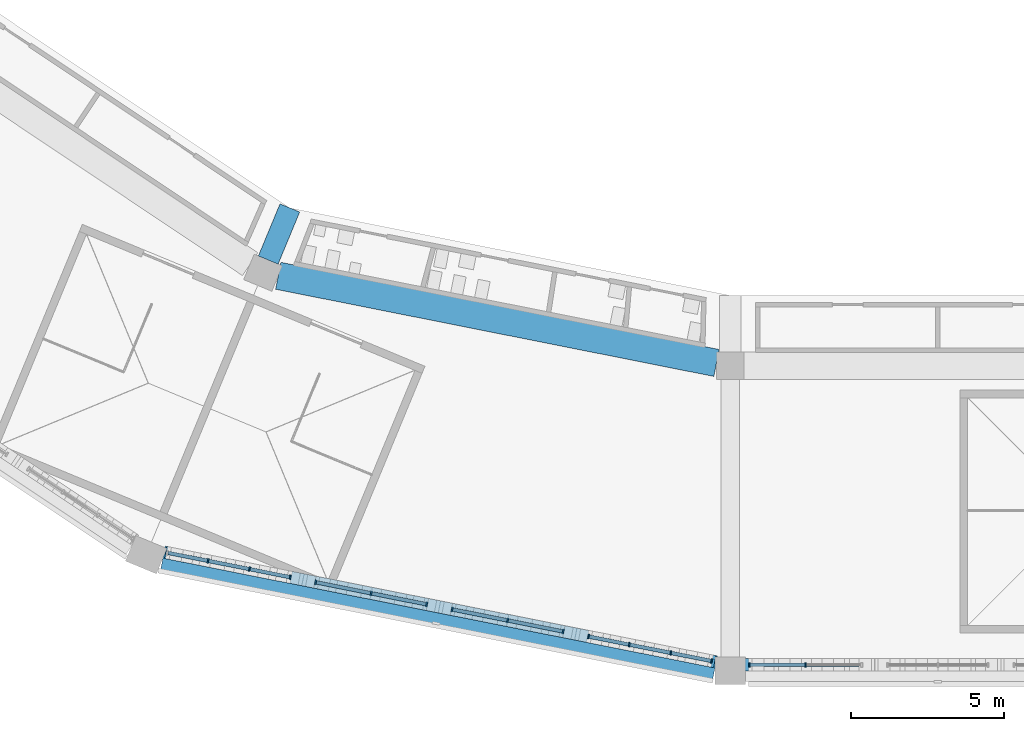
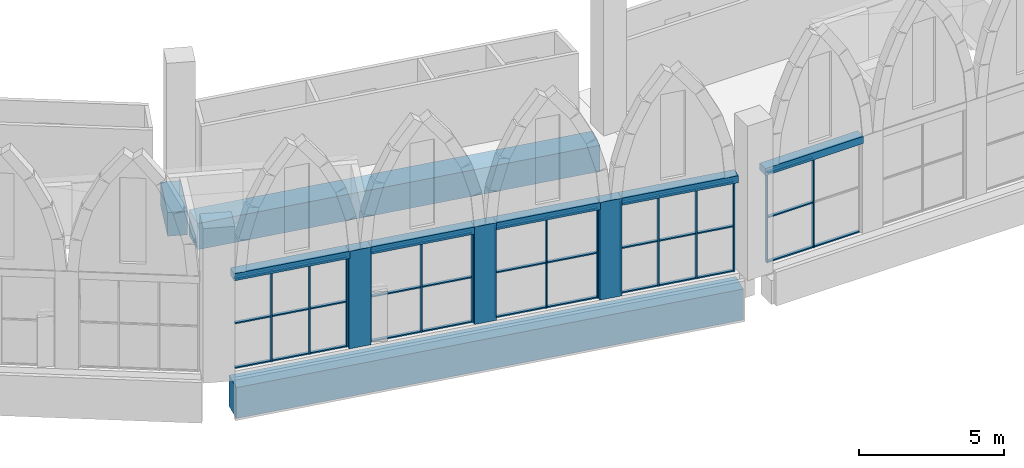
# One storey, part 5 of 130: 52 members, 8 beams, 5 elements without a shape of their own.
"""IFC4 building model written with IfcOpenShell, lengths in metres."""

from ifc_helpers import new_model, si_unit, direction, frame, origin, origin_2d, place, context, subcontext, project, spatial, rectangle, extrude, material, material_profile, profile_set, type_object, element, aggregate, save


model = new_model("IFC4")

# Units and contexts
model_context = context("Model", 3, precision=1e-05, world=origin(), true_north=direction((0.0, 1.0)))
body_context = subcontext(model_context, "Body", "Model", "MODEL_VIEW")
ifc_project = project(units=[si_unit("LENGTHUNIT", "METRE"), si_unit("AREAUNIT", "SQUARE_METRE"), si_unit("VOLUMEUNIT", "CUBIC_METRE"), si_unit("PLANEANGLEUNIT", "RADIAN"), si_unit("MASSUNIT", "GRAM", prefix="KILO")], contexts=[model_context])

# Site, building, storey
site_placement = place(None, origin())
site = spatial("IfcSite", under=ifc_project, at=site_placement, CompositionType="ELEMENT")
building_placement = place(site_placement, origin())
building = spatial("IfcBuilding", under=site, at=building_placement, Name="Ogive Plaza Stadium", CompositionType="ELEMENT")
storey_placement = place(building_placement, frame((0.0, 0.0, 22.5)))
storey = spatial("IfcBuildingStorey", under=building, at=storey_placement, Name="L05", CompositionType="ELEMENT", Elevation=22.5)

# Curtain wall, members
ifc_material_1 = material(Name="Bronze-anodised aluminium with laminated glass", Category="aluminium")
curtain_wall_type = type_object("IfcCurtainWallType", Name="Lancet curtain wall", PredefinedType="NOTDEFINED", material=ifc_material_1)
curtain_wall_1_placement = place(storey_placement, origin())
curtain_wall_1 = element("IfcCurtainWall", 1, at=curtain_wall_1_placement, inside=storey, type_object=curtain_wall_type, Name="CURTAIN WALL B16 L05", PredefinedType="NOTDEFINED")
ifc_material_2 = material(Name="Bronze-anodised aluminium", Category="aluminium")
ifc_material_profile_1 = material_profile(ifc_material_2, rectangle(XDim=0.14990234375, YDim=0.050048828125, at=origin_2d()), Name="AL 150x50")
ifc_profile_set_1 = profile_set([ifc_material_profile_1], Name="Bronze-anodised aluminium")
member_type_1 = type_object("IfcMemberType", Name="Curtain wall mullion 50x150", PredefinedType="MULLION", material=ifc_profile_set_1)
member_1_placement = place(storey_placement, frame((-31.533447265625, -102.300048828125, 0.0), z_axis=(0.0, 0.0, 1.0), x_axis=(0.0, -1.0, 0.0)))
member_1 = element("IfcMember", 2, at=member_1_placement, type_object=member_type_1, Name="CW-B16-L05.3 mullion 2", PredefinedType="MULLION", context=body_context, shape_type="SweptSolid", body=[
    extrude(rectangle(XDim=0.14990234375, YDim=0.050048828125, at=origin_2d()), origin(), (0.0, 0.0, 1.0), 3.800048828125),
])
member_2_placement = place(storey_placement, frame((-33.375, -102.300048828125, 0.0), z_axis=(0.0, 0.0, 1.0), x_axis=(0.0, -1.0, 0.0)))
member_2 = element("IfcMember", 3, at=member_2_placement, type_object=member_type_1, Name="CW-B16-L05.3 mullion 3", PredefinedType="MULLION", context=body_context, shape_type="SweptSolid", body=[
    extrude(rectangle(XDim=0.14990234375, YDim=0.050048828125, at=origin_2d()), origin(), (0.0, 0.0, 1.0), 3.800048828125),
])

curtain_wall_2_placement = place(storey_placement, origin())
curtain_wall_2 = element("IfcCurtainWall", 4, at=curtain_wall_2_placement, inside=storey, type_object=curtain_wall_type, Name="CURTAIN WALL B17 L05", PredefinedType="NOTDEFINED")
member_3_placement = place(storey_placement, frame((-34.613525390625, -102.174072265625, 0.0), z_axis=(0.0, 0.0, 1.0), x_axis=(-0.195090321965, -0.980785280413, 0.0)))
member_3 = element("IfcMember", 5, at=member_3_placement, type_object=member_type_1, Name="CW-B17-L05.1 mullion 1", PredefinedType="MULLION", context=body_context, shape_type="SweptSolid", body=[
    extrude(rectangle(XDim=0.14990234375, YDim=0.050048828125, at=origin_2d()), origin(), (0.0, 0.0, 1.0), 3.800048828125),
])
member_4_placement = place(storey_placement, frame((-35.947998046875, -101.90869140625, 0.0), z_axis=(0.0, 0.0, 1.0), x_axis=(-0.195090321965, -0.980785280413, 0.0)))
member_4 = element("IfcMember", 6, at=member_4_placement, type_object=member_type_1, Name="CW-B17-L05.1 mullion 2", PredefinedType="MULLION", context=body_context, shape_type="SweptSolid", body=[
    extrude(rectangle(XDim=0.14990234375, YDim=0.050048828125, at=origin_2d()), origin(), (0.0, 0.0, 1.0), 3.800048828125),
])
member_5_placement = place(storey_placement, frame((-37.30712890625, -101.63818359375, 0.0), z_axis=(0.0, 0.0, 1.0), x_axis=(-0.195090321965, -0.980785280413, 0.0)))
member_5 = element("IfcMember", 7, at=member_5_placement, type_object=member_type_1, Name="CW-B17-L05.1 mullion 3", PredefinedType="MULLION", context=body_context, shape_type="SweptSolid", body=[
    extrude(rectangle(XDim=0.14990234375, YDim=0.050048828125, at=origin_2d()), origin(), (0.0, 0.0, 1.0), 3.800048828125),
])
member_6_placement = place(storey_placement, frame((-38.6416015625, -101.372802734375, 0.0), z_axis=(0.0, 0.0, 1.0), x_axis=(-0.195090321965, -0.980785280413, 0.0)))
member_6 = element("IfcMember", 8, at=member_6_placement, type_object=member_type_1, Name="CW-B17-L05.1 mullion 4", PredefinedType="MULLION", context=body_context, shape_type="SweptSolid", body=[
    extrude(rectangle(XDim=0.14990234375, YDim=0.050048828125, at=origin_2d()), origin(), (0.0, 0.0, 1.0), 3.800048828125),
])

curtain_wall_3_placement = place(storey_placement, origin())
curtain_wall_3 = element("IfcCurtainWall", 9, at=curtain_wall_3_placement, inside=storey, type_object=curtain_wall_type, Name="CURTAIN WALL B17 L05", PredefinedType="NOTDEFINED")
member_7_placement = place(storey_placement, frame((-39.475341796875, -101.20703125, 0.0), z_axis=(0.0, 0.0, 1.0), x_axis=(-0.195090321896, -0.980785280427, 0.0)))
member_7 = element("IfcMember", 10, at=member_7_placement, type_object=member_type_1, Name="CW-B17-L05.2 mullion 1", PredefinedType="MULLION", context=body_context, shape_type="SweptSolid", body=[
    extrude(rectangle(XDim=0.14990234375, YDim=0.050048828125, at=origin_2d()), origin(), (0.0, 0.0, 1.0), 3.800048828125),
])
member_8_placement = place(storey_placement, frame((-41.293212890625, -100.845458984375, 0.0), z_axis=(0.0, 0.0, 1.0), x_axis=(-0.195090321896, -0.980785280427, 0.0)))
member_8 = element("IfcMember", 11, at=member_8_placement, type_object=member_type_1, Name="CW-B17-L05.2 mullion 2", PredefinedType="MULLION", context=body_context, shape_type="SweptSolid", body=[
    extrude(rectangle(XDim=0.14990234375, YDim=0.050048828125, at=origin_2d()), origin(), (0.0, 0.0, 1.0), 3.800048828125),
])
member_9_placement = place(storey_placement, frame((-43.111328125, -100.483642578125, 0.0), z_axis=(0.0, 0.0, 1.0), x_axis=(-0.195090321896, -0.980785280427, 0.0)))
member_9 = element("IfcMember", 12, at=member_9_placement, type_object=member_type_1, Name="CW-B17-L05.2 mullion 3", PredefinedType="MULLION", context=body_context, shape_type="SweptSolid", body=[
    extrude(rectangle(XDim=0.14990234375, YDim=0.050048828125, at=origin_2d()), origin(), (0.0, 0.0, 1.0), 3.800048828125),
])

curtain_wall_4_placement = place(storey_placement, origin())
curtain_wall_4 = element("IfcCurtainWall", 13, at=curtain_wall_4_placement, inside=storey, type_object=curtain_wall_type, Name="CURTAIN WALL B17 L05", PredefinedType="NOTDEFINED")
member_10_placement = place(storey_placement, frame((-43.94482421875, -100.31787109375, 0.0), z_axis=(0.0, 0.0, 1.0), x_axis=(-0.195090322153, -0.980785280376, 0.0)))
member_10 = element("IfcMember", 14, at=member_10_placement, type_object=member_type_1, Name="CW-B17-L05.3 mullion 1", PredefinedType="MULLION", context=body_context, shape_type="SweptSolid", body=[
    extrude(rectangle(XDim=0.14990234375, YDim=0.050048828125, at=origin_2d()), origin(), (0.0, 0.0, 1.0), 3.800048828125),
])
member_11_placement = place(storey_placement, frame((-45.762939453125, -99.956298828125, 0.0), z_axis=(0.0, 0.0, 1.0), x_axis=(-0.195090322153, -0.980785280376, 0.0)))
member_11 = element("IfcMember", 15, at=member_11_placement, type_object=member_type_1, Name="CW-B17-L05.3 mullion 2", PredefinedType="MULLION", context=body_context, shape_type="SweptSolid", body=[
    extrude(rectangle(XDim=0.14990234375, YDim=0.050048828125, at=origin_2d()), origin(), (0.0, 0.0, 1.0), 3.800048828125),
])
member_12_placement = place(storey_placement, frame((-47.580810546875, -99.5947265625, 0.0), z_axis=(0.0, 0.0, 1.0), x_axis=(-0.195090322153, -0.980785280376, 0.0)))
member_12 = element("IfcMember", 16, at=member_12_placement, type_object=member_type_1, Name="CW-B17-L05.3 mullion 3", PredefinedType="MULLION", context=body_context, shape_type="SweptSolid", body=[
    extrude(rectangle(XDim=0.14990234375, YDim=0.050048828125, at=origin_2d()), origin(), (0.0, 0.0, 1.0), 3.800048828125),
])

curtain_wall_5_placement = place(storey_placement, origin())
curtain_wall_5 = element("IfcCurtainWall", 17, at=curtain_wall_5_placement, inside=storey, type_object=curtain_wall_type, Name="CURTAIN WALL B17 L05", PredefinedType="NOTDEFINED")
member_13_placement = place(storey_placement, frame((-48.414306640625, -99.428955078125, 0.0), z_axis=(0.0, 0.0, 1.0), x_axis=(-0.195090321965, -0.980785280413, 0.0)))
member_13 = element("IfcMember", 18, at=member_13_placement, type_object=member_type_1, Name="CW-B17-L05.4 mullion 1", PredefinedType="MULLION", context=body_context, shape_type="SweptSolid", body=[
    extrude(rectangle(XDim=0.14990234375, YDim=0.050048828125, at=origin_2d()), origin(), (0.0, 0.0, 1.0), 3.800048828125),
])
member_14_placement = place(storey_placement, frame((-49.7490234375, -99.163330078125, 0.0), z_axis=(0.0, 0.0, 1.0), x_axis=(-0.195090321965, -0.980785280413, 0.0)))
member_14 = element("IfcMember", 19, at=member_14_placement, type_object=member_type_1, Name="CW-B17-L05.4 mullion 2", PredefinedType="MULLION", context=body_context, shape_type="SweptSolid", body=[
    extrude(rectangle(XDim=0.14990234375, YDim=0.050048828125, at=origin_2d()), origin(), (0.0, 0.0, 1.0), 3.800048828125),
])
member_15_placement = place(storey_placement, frame((-51.108154296875, -98.89306640625, 0.0), z_axis=(0.0, 0.0, 1.0), x_axis=(-0.195090321965, -0.980785280413, 0.0)))
member_15 = element("IfcMember", 20, at=member_15_placement, type_object=member_type_1, Name="CW-B17-L05.4 mullion 3", PredefinedType="MULLION", context=body_context, shape_type="SweptSolid", body=[
    extrude(rectangle(XDim=0.14990234375, YDim=0.050048828125, at=origin_2d()), origin(), (0.0, 0.0, 1.0), 3.800048828125),
])

# Member
ifc_material_3 = material(Name="Bronze-anodised aluminium", Category="aluminium")
ifc_material_profile_2 = material_profile(ifc_material_3, rectangle(XDim=0.1201171875, YDim=0.050048828125, at=origin_2d()), Name="AL 120x50")
ifc_profile_set_2 = profile_set([ifc_material_profile_2], Name="Bronze-anodised aluminium")
member_type_2 = type_object("IfcMemberType", Name="Curtain wall transom 50x120", PredefinedType="USERDEFINED", material=ifc_profile_set_2)
member_16_placement = place(storey_placement, frame((-29.716552734375, -102.300048828125, 0.02490234375), z_axis=(-1.0, 0.0, 0.0), x_axis=(0.0, -1.0, 0.0)))
member_16 = element("IfcMember", 21, at=member_16_placement, type_object=member_type_2, Name="CW-B16-L05.3 transom 1.1", ObjectType="TRANSOM", PredefinedType="USERDEFINED", context=body_context, shape_type="SweptSolid", body=[
    extrude(rectangle(XDim=0.1201171875, YDim=0.050048828125, at=origin_2d()), origin(), (0.0, 0.0, 1.0), 1.791748046875),
])

member_17_placement = place(storey_placement, frame((-31.558349609375, -102.300048828125, 0.02490234375), z_axis=(-1.0, 0.0, 0.0), x_axis=(0.0, -1.0, 0.0)))
member_17 = element("IfcMember", 22, at=member_17_placement, type_object=member_type_2, Name="CW-B16-L05.3 transom 2.1", ObjectType="TRANSOM", PredefinedType="USERDEFINED", context=body_context, shape_type="SweptSolid", body=[
    extrude(rectangle(XDim=0.1201171875, YDim=0.050048828125, at=origin_2d()), origin(), (0.0, 0.0, 1.0), 1.791748046875),
])

member_18_placement = place(storey_placement, frame((-31.558349609375, -102.300048828125, 1.89990234375), z_axis=(-1.0, 0.0, 0.0), x_axis=(0.0, -1.0, 0.0)))
member_18 = element("IfcMember", 23, at=member_18_placement, type_object=member_type_2, Name="CW-B16-L05.3 transom 2.2", ObjectType="TRANSOM", PredefinedType="USERDEFINED", context=body_context, shape_type="SweptSolid", body=[
    extrude(rectangle(XDim=0.1201171875, YDim=0.050048828125, at=origin_2d()), origin(), (0.0, 0.0, 1.0), 1.791748046875),
])

member_19_placement = place(storey_placement, frame((-31.558349609375, -102.300048828125, 3.77490234375), z_axis=(-1.0, 0.0, 0.0), x_axis=(0.0, -1.0, 0.0)))
member_19 = element("IfcMember", 24, at=member_19_placement, type_object=member_type_2, Name="CW-B16-L05.3 transom 2.3", ObjectType="TRANSOM", PredefinedType="USERDEFINED", context=body_context, shape_type="SweptSolid", body=[
    extrude(rectangle(XDim=0.1201171875, YDim=0.050048828125, at=origin_2d()), origin(), (0.0, 0.0, 1.0), 1.791748046875),
])

aggregate(curtain_wall_1, [member_1, member_2, member_16, member_17, member_18, member_19])

member_20_placement = place(storey_placement, frame((-34.637939453125, -102.169189453125, 0.02490234375), z_axis=(-0.980802116532, 0.195005661984, 0.0), x_axis=(-0.195005661984, -0.980802116532, 0.0)))
member_20 = element("IfcMember", 25, at=member_20_placement, type_object=member_type_2, Name="CW-B17-L05.1 transom 1.1", ObjectType="TRANSOM", PredefinedType="USERDEFINED", context=body_context, shape_type="SweptSolid", body=[
    extrude(rectangle(XDim=0.1201171875, YDim=0.050048828125, at=origin_2d()), origin(), (0.0, 0.0, 1.0), 1.310791015625),
])

member_21_placement = place(storey_placement, frame((-34.637939453125, -102.169189453125, 1.89990234375), z_axis=(-0.980802116532, 0.195005661984, 0.0), x_axis=(-0.195005661984, -0.980802116532, 0.0)))
member_21 = element("IfcMember", 26, at=member_21_placement, type_object=member_type_2, Name="CW-B17-L05.1 transom 1.2", ObjectType="TRANSOM", PredefinedType="USERDEFINED", context=body_context, shape_type="SweptSolid", body=[
    extrude(rectangle(XDim=0.1201171875, YDim=0.050048828125, at=origin_2d()), origin(), (0.0, 0.0, 1.0), 1.310791015625),
])

member_22_placement = place(storey_placement, frame((-34.637939453125, -102.169189453125, 3.77490234375), z_axis=(-0.980802116532, 0.195005661984, 0.0), x_axis=(-0.195005661984, -0.980802116532, 0.0)))
member_22 = element("IfcMember", 27, at=member_22_placement, type_object=member_type_2, Name="CW-B17-L05.1 transom 1.3", ObjectType="TRANSOM", PredefinedType="USERDEFINED", context=body_context, shape_type="SweptSolid", body=[
    extrude(rectangle(XDim=0.1201171875, YDim=0.050048828125, at=origin_2d()), origin(), (0.0, 0.0, 1.0), 1.310791015625),
])

member_23_placement = place(storey_placement, frame((-35.97265625, -101.90380859375, 0.02490234375), z_axis=(-0.980763023423, 0.195202182075, 0.0), x_axis=(-0.195202182075, -0.980763023423, 0.0)))
member_23 = element("IfcMember", 28, at=member_23_placement, type_object=member_type_2, Name="CW-B17-L05.1 transom 2.1", ObjectType="TRANSOM", PredefinedType="USERDEFINED", context=body_context, shape_type="SweptSolid", body=[
    extrude(rectangle(XDim=0.1201171875, YDim=0.050048828125, at=origin_2d()), origin(), (0.0, 0.0, 1.0), 1.335693359375),
])

member_24_placement = place(storey_placement, frame((-35.97265625, -101.90380859375, 1.89990234375), z_axis=(-0.980763023423, 0.195202182075, 0.0), x_axis=(-0.195202182075, -0.980763023423, 0.0)))
member_24 = element("IfcMember", 29, at=member_24_placement, type_object=member_type_2, Name="CW-B17-L05.1 transom 2.2", ObjectType="TRANSOM", PredefinedType="USERDEFINED", context=body_context, shape_type="SweptSolid", body=[
    extrude(rectangle(XDim=0.1201171875, YDim=0.050048828125, at=origin_2d()), origin(), (0.0, 0.0, 1.0), 1.335693359375),
])

member_25_placement = place(storey_placement, frame((-35.97265625, -101.90380859375, 3.77490234375), z_axis=(-0.980763023423, 0.195202182075, 0.0), x_axis=(-0.195202182075, -0.980763023423, 0.0)))
member_25 = element("IfcMember", 30, at=member_25_placement, type_object=member_type_2, Name="CW-B17-L05.1 transom 2.3", ObjectType="TRANSOM", PredefinedType="USERDEFINED", context=body_context, shape_type="SweptSolid", body=[
    extrude(rectangle(XDim=0.1201171875, YDim=0.050048828125, at=origin_2d()), origin(), (0.0, 0.0, 1.0), 1.335693359375),
])

member_26_placement = place(storey_placement, frame((-37.331787109375, -101.63330078125, 0.02490234375), z_axis=(-0.980795031954, 0.195041291255, 0.0), x_axis=(-0.195041291255, -0.980795031954, 0.0)))
member_26 = element("IfcMember", 31, at=member_26_placement, type_object=member_type_2, Name="CW-B17-L05.1 transom 3.1", ObjectType="TRANSOM", PredefinedType="USERDEFINED", context=body_context, shape_type="SweptSolid", body=[
    extrude(rectangle(XDim=0.1201171875, YDim=0.050048828125, at=origin_2d()), origin(), (0.0, 0.0, 1.0), 1.310546875),
])

member_27_placement = place(storey_placement, frame((-37.331787109375, -101.63330078125, 1.89990234375), z_axis=(-0.980795031954, 0.195041291255, 0.0), x_axis=(-0.195041291255, -0.980795031954, 0.0)))
member_27 = element("IfcMember", 32, at=member_27_placement, type_object=member_type_2, Name="CW-B17-L05.1 transom 3.2", ObjectType="TRANSOM", PredefinedType="USERDEFINED", context=body_context, shape_type="SweptSolid", body=[
    extrude(rectangle(XDim=0.1201171875, YDim=0.050048828125, at=origin_2d()), origin(), (0.0, 0.0, 1.0), 1.310546875),
])

member_28_placement = place(storey_placement, frame((-37.331787109375, -101.63330078125, 3.77490234375), z_axis=(-0.980795031954, 0.195041291255, 0.0), x_axis=(-0.195041291255, -0.980795031954, 0.0)))
member_28 = element("IfcMember", 33, at=member_28_placement, type_object=member_type_2, Name="CW-B17-L05.1 transom 3.3", ObjectType="TRANSOM", PredefinedType="USERDEFINED", context=body_context, shape_type="SweptSolid", body=[
    extrude(rectangle(XDim=0.1201171875, YDim=0.050048828125, at=origin_2d()), origin(), (0.0, 0.0, 1.0), 1.310546875),
])

aggregate(curtain_wall_2, [member_3, member_4, member_5, member_6, member_20, member_21, member_22, member_23, member_24, member_25, member_26, member_27, member_28])

member_29_placement = place(storey_placement, frame((-39.5, -101.2021484375, 0.02490234375), z_axis=(-0.980788391247, 0.195074682096, 0.0), x_axis=(-0.195074682096, -0.980788391247, 0.0)))
member_29 = element("IfcMember", 34, at=member_29_placement, type_object=member_type_2, Name="CW-B17-L05.2 transom 1.1", ObjectType="TRANSOM", PredefinedType="USERDEFINED", context=body_context, shape_type="SweptSolid", body=[
    extrude(rectangle(XDim=0.1201171875, YDim=0.050048828125, at=origin_2d()), origin(), (0.0, 0.0, 1.0), 1.803466796875),
])

member_30_placement = place(storey_placement, frame((-39.5, -101.2021484375, 1.89990234375), z_axis=(-0.980788391247, 0.195074682096, 0.0), x_axis=(-0.195074682096, -0.980788391247, 0.0)))
member_30 = element("IfcMember", 35, at=member_30_placement, type_object=member_type_2, Name="CW-B17-L05.2 transom 1.2", ObjectType="TRANSOM", PredefinedType="USERDEFINED", context=body_context, shape_type="SweptSolid", body=[
    extrude(rectangle(XDim=0.1201171875, YDim=0.050048828125, at=origin_2d()), origin(), (0.0, 0.0, 1.0), 1.803466796875),
])

member_31_placement = place(storey_placement, frame((-39.5, -101.2021484375, 3.77490234375), z_axis=(-0.980788391247, 0.195074682096, 0.0), x_axis=(-0.195074682096, -0.980788391247, 0.0)))
member_31 = element("IfcMember", 36, at=member_31_placement, type_object=member_type_2, Name="CW-B17-L05.2 transom 1.3", ObjectType="TRANSOM", PredefinedType="USERDEFINED", context=body_context, shape_type="SweptSolid", body=[
    extrude(rectangle(XDim=0.1201171875, YDim=0.050048828125, at=origin_2d()), origin(), (0.0, 0.0, 1.0), 1.803466796875),
])

member_32_placement = place(storey_placement, frame((-41.31787109375, -100.840576171875, 0.02490234375), z_axis=(-0.980762482488, 0.195204899896, 0.0), x_axis=(-0.195204899896, -0.980762482488, 0.0)))
member_32 = element("IfcMember", 37, at=member_32_placement, type_object=member_type_2, Name="CW-B17-L05.2 transom 2.1", ObjectType="TRANSOM", PredefinedType="USERDEFINED", context=body_context, shape_type="SweptSolid", body=[
    extrude(rectangle(XDim=0.1201171875, YDim=0.050048828125, at=origin_2d()), origin(), (0.0, 0.0, 1.0), 1.803466796875),
])

member_33_placement = place(storey_placement, frame((-41.31787109375, -100.840576171875, 1.89990234375), z_axis=(-0.980762482488, 0.195204899896, 0.0), x_axis=(-0.195204899896, -0.980762482488, 0.0)))
member_33 = element("IfcMember", 38, at=member_33_placement, type_object=member_type_2, Name="CW-B17-L05.2 transom 2.2", ObjectType="TRANSOM", PredefinedType="USERDEFINED", context=body_context, shape_type="SweptSolid", body=[
    extrude(rectangle(XDim=0.1201171875, YDim=0.050048828125, at=origin_2d()), origin(), (0.0, 0.0, 1.0), 1.803466796875),
])

member_34_placement = place(storey_placement, frame((-41.31787109375, -100.840576171875, 3.77490234375), z_axis=(-0.980762482488, 0.195204899896, 0.0), x_axis=(-0.195204899896, -0.980762482488, 0.0)))
member_34 = element("IfcMember", 39, at=member_34_placement, type_object=member_type_2, Name="CW-B17-L05.2 transom 2.3", ObjectType="TRANSOM", PredefinedType="USERDEFINED", context=body_context, shape_type="SweptSolid", body=[
    extrude(rectangle(XDim=0.1201171875, YDim=0.050048828125, at=origin_2d()), origin(), (0.0, 0.0, 1.0), 1.803466796875),
])

aggregate(curtain_wall_3, [member_7, member_8, member_9, member_29, member_30, member_31, member_32, member_33, member_34])

member_35_placement = place(storey_placement, frame((-43.969482421875, -100.31298828125, 0.02490234375), z_axis=(-0.980788391247, 0.195074682096, 0.0), x_axis=(-0.195074682096, -0.980788391247, 0.0)))
member_35 = element("IfcMember", 40, at=member_35_placement, type_object=member_type_2, Name="CW-B17-L05.3 transom 1.1", ObjectType="TRANSOM", PredefinedType="USERDEFINED", context=body_context, shape_type="SweptSolid", body=[
    extrude(rectangle(XDim=0.1201171875, YDim=0.050048828125, at=origin_2d()), origin(), (0.0, 0.0, 1.0), 1.803466796875),
])

member_36_placement = place(storey_placement, frame((-43.969482421875, -100.31298828125, 1.89990234375), z_axis=(-0.980788391247, 0.195074682096, 0.0), x_axis=(-0.195074682096, -0.980788391247, 0.0)))
member_36 = element("IfcMember", 41, at=member_36_placement, type_object=member_type_2, Name="CW-B17-L05.3 transom 1.2", ObjectType="TRANSOM", PredefinedType="USERDEFINED", context=body_context, shape_type="SweptSolid", body=[
    extrude(rectangle(XDim=0.1201171875, YDim=0.050048828125, at=origin_2d()), origin(), (0.0, 0.0, 1.0), 1.803466796875),
])

member_37_placement = place(storey_placement, frame((-43.969482421875, -100.31298828125, 3.77490234375), z_axis=(-0.980788391247, 0.195074682096, 0.0), x_axis=(-0.195074682096, -0.980788391247, 0.0)))
member_37 = element("IfcMember", 42, at=member_37_placement, type_object=member_type_2, Name="CW-B17-L05.3 transom 1.3", ObjectType="TRANSOM", PredefinedType="USERDEFINED", context=body_context, shape_type="SweptSolid", body=[
    extrude(rectangle(XDim=0.1201171875, YDim=0.050048828125, at=origin_2d()), origin(), (0.0, 0.0, 1.0), 1.803466796875),
])

member_38_placement = place(storey_placement, frame((-45.787353515625, -99.951416015625, 0.02490234375), z_axis=(-0.980788391247, 0.195074682096, 0.0), x_axis=(-0.195074682096, -0.980788391247, 0.0)))
member_38 = element("IfcMember", 43, at=member_38_placement, type_object=member_type_2, Name="CW-B17-L05.3 transom 2.1", ObjectType="TRANSOM", PredefinedType="USERDEFINED", context=body_context, shape_type="SweptSolid", body=[
    extrude(rectangle(XDim=0.1201171875, YDim=0.050048828125, at=origin_2d()), origin(), (0.0, 0.0, 1.0), 1.803466796875),
])

member_39_placement = place(storey_placement, frame((-45.787353515625, -99.951416015625, 1.89990234375), z_axis=(-0.980788391247, 0.195074682096, 0.0), x_axis=(-0.195074682096, -0.980788391247, 0.0)))
member_39 = element("IfcMember", 44, at=member_39_placement, type_object=member_type_2, Name="CW-B17-L05.3 transom 2.2", ObjectType="TRANSOM", PredefinedType="USERDEFINED", context=body_context, shape_type="SweptSolid", body=[
    extrude(rectangle(XDim=0.1201171875, YDim=0.050048828125, at=origin_2d()), origin(), (0.0, 0.0, 1.0), 1.803466796875),
])

member_40_placement = place(storey_placement, frame((-45.787353515625, -99.951416015625, 3.77490234375), z_axis=(-0.980788391247, 0.195074682096, 0.0), x_axis=(-0.195074682096, -0.980788391247, 0.0)))
member_40 = element("IfcMember", 45, at=member_40_placement, type_object=member_type_2, Name="CW-B17-L05.3 transom 2.3", ObjectType="TRANSOM", PredefinedType="USERDEFINED", context=body_context, shape_type="SweptSolid", body=[
    extrude(rectangle(XDim=0.1201171875, YDim=0.050048828125, at=origin_2d()), origin(), (0.0, 0.0, 1.0), 1.803466796875),
])

aggregate(curtain_wall_4, [member_10, member_11, member_12, member_35, member_36, member_37, member_38, member_39, member_40])

member_41_placement = place(storey_placement, frame((-48.43896484375, -99.424072265625, 0.02490234375), z_axis=(-0.980759381228, 0.195220480822, 0.0), x_axis=(-0.195220480822, -0.980759381228, 0.0)))
member_41 = element("IfcMember", 46, at=member_41_placement, type_object=member_type_2, Name="CW-B17-L05.4 transom 1.1", ObjectType="TRANSOM", PredefinedType="USERDEFINED", context=body_context, shape_type="SweptSolid", body=[
    extrude(rectangle(XDim=0.1201171875, YDim=0.050048828125, at=origin_2d()), origin(), (0.0, 0.0, 1.0), 1.310546875),
])

member_42_placement = place(storey_placement, frame((-48.43896484375, -99.424072265625, 1.89990234375), z_axis=(-0.980759381228, 0.195220480822, 0.0), x_axis=(-0.195220480822, -0.980759381228, 0.0)))
member_42 = element("IfcMember", 47, at=member_42_placement, type_object=member_type_2, Name="CW-B17-L05.4 transom 1.2", ObjectType="TRANSOM", PredefinedType="USERDEFINED", context=body_context, shape_type="SweptSolid", body=[
    extrude(rectangle(XDim=0.1201171875, YDim=0.050048828125, at=origin_2d()), origin(), (0.0, 0.0, 1.0), 1.310546875),
])

member_43_placement = place(storey_placement, frame((-48.43896484375, -99.424072265625, 3.77490234375), z_axis=(-0.980759381228, 0.195220480822, 0.0), x_axis=(-0.195220480822, -0.980759381228, 0.0)))
member_43 = element("IfcMember", 48, at=member_43_placement, type_object=member_type_2, Name="CW-B17-L05.4 transom 1.3", ObjectType="TRANSOM", PredefinedType="USERDEFINED", context=body_context, shape_type="SweptSolid", body=[
    extrude(rectangle(XDim=0.1201171875, YDim=0.050048828125, at=origin_2d()), origin(), (0.0, 0.0, 1.0), 1.310546875),
])

member_44_placement = place(storey_placement, frame((-49.7734375, -99.158447265625, 0.02490234375), z_axis=(-0.98079800038, 0.195026363475, 0.0), x_axis=(-0.195026363475, -0.98079800038, 0.0)))
member_44 = element("IfcMember", 49, at=member_44_placement, type_object=member_type_2, Name="CW-B17-L05.4 transom 2.1", ObjectType="TRANSOM", PredefinedType="USERDEFINED", context=body_context, shape_type="SweptSolid", body=[
    extrude(rectangle(XDim=0.1201171875, YDim=0.050048828125, at=origin_2d()), origin(), (0.0, 0.0, 1.0), 1.335693359375),
])

member_45_placement = place(storey_placement, frame((-49.7734375, -99.158447265625, 1.89990234375), z_axis=(-0.98079800038, 0.195026363475, 0.0), x_axis=(-0.195026363475, -0.98079800038, 0.0)))
member_45 = element("IfcMember", 50, at=member_45_placement, type_object=member_type_2, Name="CW-B17-L05.4 transom 2.2", ObjectType="TRANSOM", PredefinedType="USERDEFINED", context=body_context, shape_type="SweptSolid", body=[
    extrude(rectangle(XDim=0.1201171875, YDim=0.050048828125, at=origin_2d()), origin(), (0.0, 0.0, 1.0), 1.335693359375),
])

member_46_placement = place(storey_placement, frame((-49.7734375, -99.158447265625, 3.77490234375), z_axis=(-0.98079800038, 0.195026363475, 0.0), x_axis=(-0.195026363475, -0.98079800038, 0.0)))
member_46 = element("IfcMember", 51, at=member_46_placement, type_object=member_type_2, Name="CW-B17-L05.4 transom 2.3", ObjectType="TRANSOM", PredefinedType="USERDEFINED", context=body_context, shape_type="SweptSolid", body=[
    extrude(rectangle(XDim=0.1201171875, YDim=0.050048828125, at=origin_2d()), origin(), (0.0, 0.0, 1.0), 1.335693359375),
])

member_47_placement = place(storey_placement, frame((-51.132568359375, -98.88818359375, 0.02490234375), z_axis=(-0.980795031954, 0.195041291255, 0.0), x_axis=(-0.195041291255, -0.980795031954, 0.0)))
member_47 = element("IfcMember", 52, at=member_47_placement, type_object=member_type_2, Name="CW-B17-L05.4 transom 3.1", ObjectType="TRANSOM", PredefinedType="USERDEFINED", context=body_context, shape_type="SweptSolid", body=[
    extrude(rectangle(XDim=0.1201171875, YDim=0.050048828125, at=origin_2d()), origin(), (0.0, 0.0, 1.0), 1.310546875),
])

member_48_placement = place(storey_placement, frame((-51.132568359375, -98.88818359375, 1.89990234375), z_axis=(-0.980795031954, 0.195041291255, 0.0), x_axis=(-0.195041291255, -0.980795031954, 0.0)))
member_48 = element("IfcMember", 53, at=member_48_placement, type_object=member_type_2, Name="CW-B17-L05.4 transom 3.2", ObjectType="TRANSOM", PredefinedType="USERDEFINED", context=body_context, shape_type="SweptSolid", body=[
    extrude(rectangle(XDim=0.1201171875, YDim=0.050048828125, at=origin_2d()), origin(), (0.0, 0.0, 1.0), 1.310546875),
])

member_49_placement = place(storey_placement, frame((-51.132568359375, -98.88818359375, 3.77490234375), z_axis=(-0.980795031954, 0.195041291255, 0.0), x_axis=(-0.195041291255, -0.980795031954, 0.0)))
member_49 = element("IfcMember", 54, at=member_49_placement, type_object=member_type_2, Name="CW-B17-L05.4 transom 3.3", ObjectType="TRANSOM", PredefinedType="USERDEFINED", context=body_context, shape_type="SweptSolid", body=[
    extrude(rectangle(XDim=0.1201171875, YDim=0.050048828125, at=origin_2d()), origin(), (0.0, 0.0, 1.0), 1.310546875),
])

aggregate(curtain_wall_5, [member_13, member_14, member_15, member_41, member_42, member_43, member_44, member_45, member_46, member_47, member_48, member_49])

# Members
ifc_material_4 = material(Name="Concrete C45/55 precast", Category="concrete")
ifc_material_profile_3 = material_profile(ifc_material_4, rectangle(XDim=0.39990234375, YDim=0.800048828125, at=origin_2d()), Name="RC 400x800")
ifc_profile_set_3 = profile_set([ifc_material_profile_3], Name="Concrete C45/55 precast")
member_type_3 = type_object("IfcMemberType", Name="Precast colonette 800x400", PredefinedType="POST", material=ifc_profile_set_3)
for number, where, z_axis, x_axis, name in (
    (55, (-39.05859375, -101.289794921875, 0.0), (0.0, 0.0, 1.0), (-0.195090322016, -0.980785280403, 0.0), "COLONETTE B17 1"),
    (56, (-43.528076171875, -100.40087890625, 0.0), (0.0, 0.0, 1.0), (-0.195090322016, -0.980785280403, 0.0), "COLONETTE B17 2"),
    (57, (-47.99755859375, -99.51171875, 0.0), (0.0, 0.0, 1.0), (-0.195090322016, -0.980785280403, 0.0), "COLONETTE B17 3"),
):
    element("IfcMember", number, at=place(storey_placement, frame(where, z_axis=z_axis, x_axis=x_axis)), inside=storey, type_object=member_type_3, Name=name, PredefinedType="POST", context=body_context, shape_type="SweptSolid", body=[
        extrude(rectangle(XDim=0.39990234375, YDim=0.800048828125, at=origin_2d()), origin(), (0.0, 0.0, 1.0), 4.10009765625),
    ])

# Beams
ifc_material_5 = material(Name="Concrete C45/55 precast", Category="concrete")
ifc_material_profile_4 = material_profile(ifc_material_5, rectangle(XDim=0.39990234375, YDim=0.300048828125, at=origin_2d()), Name="RC 400x300")
ifc_profile_set_4 = profile_set([ifc_material_profile_4], Name="Concrete C45/55 precast")
beam_type_1 = type_object("IfcBeamType", Name="Precast tympanum lintel 400x300", PredefinedType="BEAM", material=ifc_profile_set_4)
beam_1_placement = place(storey_placement, frame((-29.63671875, -102.300048828125, 3.949951171875), z_axis=(-1.0, 0.0, 0.0), x_axis=(0.0, -1.0, 0.0)))
element("IfcBeam", 58, at=beam_1_placement, inside=storey, type_object=beam_type_1, Name="TYMPANUM LINTEL B16 3", PredefinedType="BEAM", context=body_context, shape_type="SweptSolid", body=[
    extrude(rectangle(XDim=0.39990234375, YDim=0.300048828125, at=origin_2d()), origin(), (0.0, 0.0, 1.0), 3.893310546875),
])
beam_2_placement = place(storey_placement, frame((-34.509521484375, -102.19482421875, 3.949951171875), z_axis=(-0.980780370693, 0.195115003175, 0.0), x_axis=(-0.195115003175, -0.980780370693, 0.0)))
element("IfcBeam", 59, at=beam_2_placement, inside=storey, type_object=beam_type_1, Name="TYMPANUM LINTEL B17 1", PredefinedType="BEAM", context=body_context, shape_type="SweptSolid", body=[
    extrude(rectangle(XDim=0.39990234375, YDim=0.300048828125, at=origin_2d()), origin(), (0.0, 0.0, 1.0), 4.26806640625),
])
beam_3_placement = place(storey_placement, frame((-39.42138671875, -101.2177734375, 3.949951171875), z_axis=(-0.980776972067, 0.195132086194, 0.0), x_axis=(-0.195132086194, -0.980776972067, 0.0)))
element("IfcBeam", 60, at=beam_3_placement, inside=storey, type_object=beam_type_1, Name="TYMPANUM LINTEL B17 2", PredefinedType="BEAM", context=body_context, shape_type="SweptSolid", body=[
    extrude(rectangle(XDim=0.39990234375, YDim=0.300048828125, at=origin_2d()), origin(), (0.0, 0.0, 1.0), 3.8173828125),
])
beam_4_placement = place(storey_placement, frame((-43.890869140625, -100.32861328125, 3.949951171875), z_axis=(-0.980789210404, 0.19507056353, 0.0), x_axis=(-0.19507056353, -0.980789210404, 0.0)))
element("IfcBeam", 61, at=beam_4_placement, inside=storey, type_object=beam_type_1, Name="TYMPANUM LINTEL B17 3", PredefinedType="BEAM", context=body_context, shape_type="SweptSolid", body=[
    extrude(rectangle(XDim=0.39990234375, YDim=0.300048828125, at=origin_2d()), origin(), (0.0, 0.0, 1.0), 3.817138671875),
])
beam_5_placement = place(storey_placement, frame((-48.360595703125, -99.439697265625, 3.949951171875), z_axis=(-0.980782781404, 0.195102884914, 0.0), x_axis=(-0.195102884914, -0.980782781404, 0.0)))
element("IfcBeam", 62, at=beam_5_placement, inside=storey, type_object=beam_type_1, Name="TYMPANUM LINTEL B17 4", PredefinedType="BEAM", context=body_context, shape_type="SweptSolid", body=[
    extrude(rectangle(XDim=0.39990234375, YDim=0.300048828125, at=origin_2d()), origin(), (0.0, 0.0, 1.0), 4.217041015625),
])
ifc_material_6 = material(Name="Concrete C40/50", Category="concrete")
ifc_material_profile_5 = material_profile(ifc_material_6, rectangle(XDim=0.699951171875, YDim=1.0, at=origin_2d()), Name="RC 700x1000")
ifc_profile_set_5 = profile_set([ifc_material_profile_5], Name="Concrete C40/50")
beam_type_2 = type_object("IfcBeamType", Name="RC radial beam 700x1000", PredefinedType="BEAM", material=ifc_profile_set_5)
beam_6_placement = place(storey_placement, frame((-48.42724609375, -87.330322265625, -0.909912109375), z_axis=(-0.382581020213, -0.923921946364, 0.0), x_axis=(0.923921946364, -0.382581020213, 0.0)))
element("IfcBeam", 63, at=beam_6_placement, inside=storey, type_object=beam_type_2, Name="Raker tail beam UT R18", PredefinedType="BEAM", context=body_context, shape_type="SweptSolid", body=[
    extrude(rectangle(XDim=0.699951171875, YDim=1.0, at=origin_2d()), origin(), (0.0, 0.0, 1.0), 1.849853515625),
])
ifc_material_7 = material(Name="Concrete C40/50", Category="concrete")
ifc_material_profile_6 = material_profile(ifc_material_7, rectangle(XDim=0.89990234375, YDim=1.10009765625, at=origin_2d()), Name="RC 900x1100")
ifc_profile_set_6 = profile_set([ifc_material_profile_6], Name="Concrete C40/50")
beam_type_3 = type_object("IfcBeamType", Name="RC ring beam 900x1100", PredefinedType="BEAM", material=ifc_profile_set_6)
beam_7_placement = place(storey_placement, frame((-34.449951171875, -92.410400390625, -0.9599609375), z_axis=(-0.980787317906, 0.195080078519, 0.0), x_axis=(-0.195080078519, -0.980787317906, 0.0)))
element("IfcBeam", 64, at=beam_7_placement, inside=storey, type_object=beam_type_3, Name="Ring beam F4 L05 B17", PredefinedType="BEAM", context=body_context, shape_type="SweptSolid", body=[
    extrude(rectangle(XDim=0.89990234375, YDim=1.10009765625, at=origin_2d()), origin(), (0.0, 0.0, 1.0), 14.638671875),
])
ifc_material_8 = material(Name="Concrete C40/50", Category="concrete")
ifc_material_profile_7 = material_profile(ifc_material_8, rectangle(XDim=0.800048828125, YDim=1.300048828125, at=origin_2d()), Name="RC 800x1300")
ifc_profile_set_7 = profile_set([ifc_material_profile_7], Name="Concrete C40/50")
beam_type_4 = type_object("IfcBeamType", Name="RC spandrel beam 800x1300", PredefinedType="SPANDREL", material=ifc_profile_set_7)
beam_8_placement = place(storey_placement, frame((-34.5, -102.400634765625, -1.06005859375), z_axis=(-0.980785371075, 0.195089866178, 0.0), x_axis=(-0.195089866178, -0.980785371075, 0.0)))
element("IfcBeam", 65, at=beam_8_placement, inside=storey, type_object=beam_type_4, Name="Ring beam F5 L05 B17", PredefinedType="SPANDREL", context=body_context, shape_type="SweptSolid", body=[
    extrude(rectangle(XDim=0.800048828125, YDim=1.300048828125, at=origin_2d()), origin(), (0.0, 0.0, 1.0), 18.4384765625),
])

save(model, "model.ifc")
